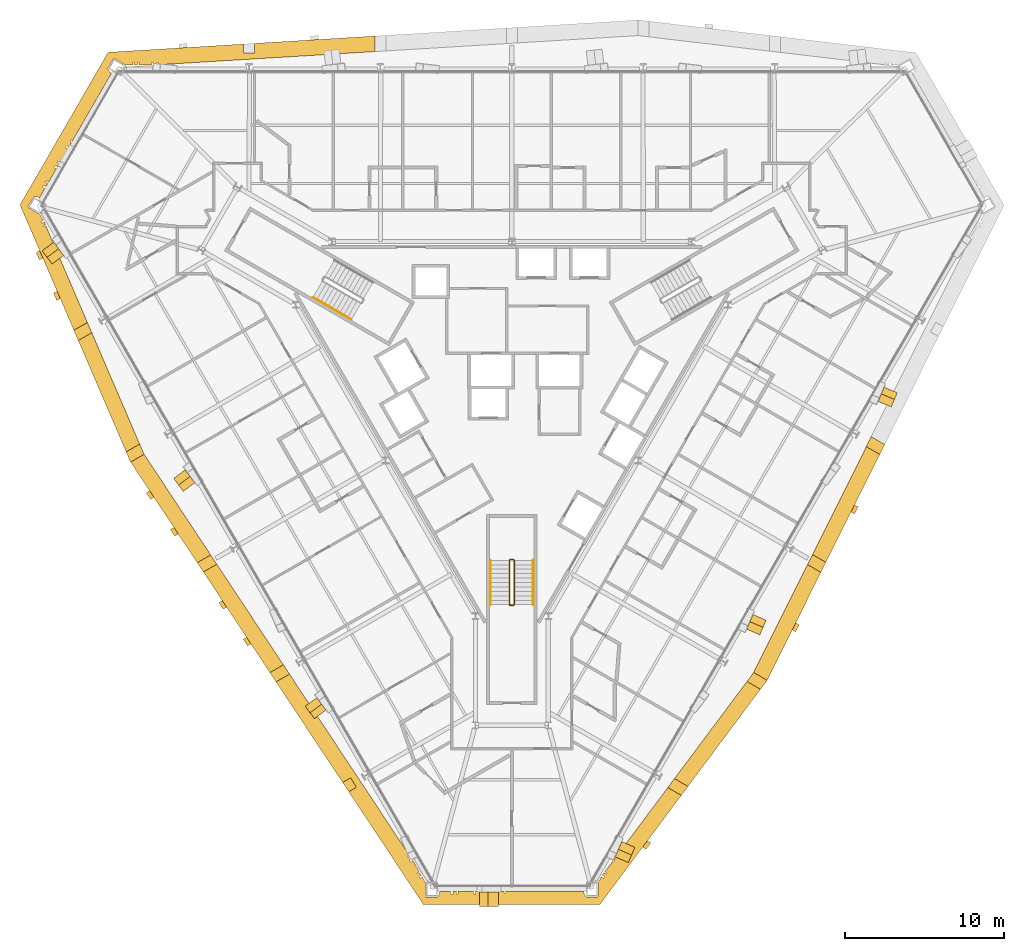
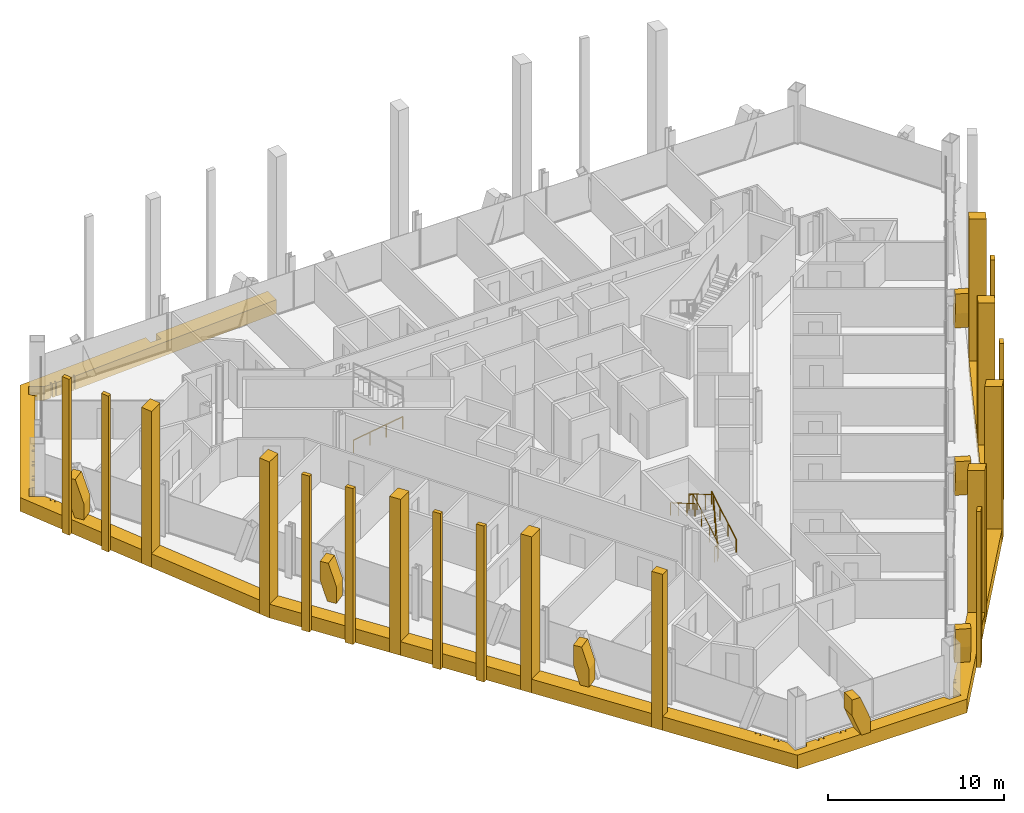
# One storey, part 16 of 17: 33 coverings, 4 railings.
"""IFC4 building model written with IfcOpenShell, lengths in metres."""

import ifcopenshell
import ifcopenshell.guid

model = None  # the IFC model being written
_history = None  # IfcOwnerHistory: only IFC2X3 demands one
_inside = {}  # id of a spatial element -> (the spatial element, [elements in it])
_under = {}  # id of a project, library or spatial element -> (it, [spatial elements below it])
_declared = {}  # id of a project -> (the project, [libraries it declares])
_typed = {}  # id of a type object -> (the type object, [elements of that type])
_made_of = {}  # id of a material, layer set ... -> (it, [elements and type objects made of it])


def new_model(schema):
    """Start an empty IFC model of exactly this schema.

    Asked for "IFC4X3", IfcOpenShell would pick the latest addendum, in which some entities
    have other attributes; the version numbers below select the first issue.
    IFC2X3 requires an IfcOwnerHistory on every rooted entity: one is made here for all.
    """
    global model, _history
    if schema == "IFC4X3":
        model = ifcopenshell.file(schema_version=(4, 3, 0, 0))
    else:
        model = ifcopenshell.file(schema=schema)
    _inside.clear()
    _under.clear()
    _declared.clear()
    _typed.clear()
    _made_of.clear()
    _history = None
    if model.schema == "IFC2X3":
        org = make("IfcOrganization", Name="unknown")
        user = make(
            "IfcPersonAndOrganization",
            ThePerson=make("IfcPerson", FamilyName="unknown"),
            TheOrganization=org,
        )
        app = make(
            "IfcApplication",
            ApplicationDeveloper=org,
            Version="unknown",
            ApplicationFullName="unknown",
            ApplicationIdentifier="unknown",
        )
        _history = make(
            "IfcOwnerHistory",
            OwningUser=user,
            OwningApplication=app,
            ChangeAction="ADDED",
            CreationDate=0,
        )
    return model


def make(cls, **values):
    """One entity of the class cls with the attributes given. An attribute that is None is left unset."""
    return model.create_entity(
        cls, **{name: value for name, value in values.items() if value is not None}
    )


def rooted(cls, **values):
    """An entity with a GlobalId (a new one), such as an element, a storey or a relation."""
    return make(cls, GlobalId=ifcopenshell.guid.new(), OwnerHistory=_history, **values)


def si_unit(unit_type, name, prefix=None):
    """IfcSIUnit, for example si_unit("LENGTHUNIT", "METRE", prefix="MILLI")."""
    return make("IfcSIUnit", UnitType=unit_type, Prefix=prefix, Name=name)


def assignment(units):
    """IfcUnitAssignment: the units of a project."""
    return None if units is None else make("IfcUnitAssignment", Units=units)


def point(xyz):
    """IfcCartesianPoint."""
    return None if xyz is None else make("IfcCartesianPoint", Coordinates=xyz)


def direction(xyz):
    """IfcDirection."""
    return None if xyz is None else make("IfcDirection", DirectionRatios=xyz)


def frame(location, z_axis=None, x_axis=None):
    """IfcAxis2Placement3D, a coordinate frame: its origin and axes. An axis left out is left unset."""
    return make(
        "IfcAxis2Placement3D",
        Location=point(location),
        Axis=direction(z_axis),
        RefDirection=direction(x_axis),
    )


def frame_2d(location, x_axis=None):
    """IfcAxis2Placement2D, a coordinate frame in the plane: its origin and x axis."""
    return make(
        "IfcAxis2Placement2D", Location=point(location), RefDirection=direction(x_axis)
    )


def origin():
    """The frame at (0, 0, 0) with its axes left unset."""
    return frame((0.0, 0.0, 0.0))


def origin_2d():
    """The frame at (0, 0) in the plane with its x axis left unset."""
    return frame_2d((0.0, 0.0))


def place(relative_to, where):
    """IfcLocalPlacement: puts the frame where relative to a parent placement (None: the world)."""
    return make(
        "IfcLocalPlacement", PlacementRelTo=relative_to, RelativePlacement=where
    )


def context(
    kind, dimensions, precision=None, world=None, true_north=None, identifier=None
):
    """IfcGeometricRepresentationContext, for example the 3D "Model" context."""
    return make(
        "IfcGeometricRepresentationContext",
        ContextIdentifier=identifier,
        ContextType=kind,
        CoordinateSpaceDimension=dimensions,
        Precision=precision,
        WorldCoordinateSystem=world,
        TrueNorth=true_north,
    )


def subcontext(parent, identifier, kind, view, scale=None):
    """IfcGeometricRepresentationSubContext, for example "Body" below "Model"."""
    return make(
        "IfcGeometricRepresentationSubContext",
        ContextIdentifier=identifier,
        ContextType=kind,
        ParentContext=parent,
        TargetScale=scale,
        TargetView=view,
    )


def project(units=None, contexts=None):
    """IfcProject with its units and contexts."""
    return rooted(
        "IfcProject",
        Name="project",
        RepresentationContexts=contexts,
        UnitsInContext=assignment(units),
    )


def spatial(cls, under=None, at=None, **own):
    """A site, building, storey or space (cls), placed at a placement, below another one or the project."""
    s = rooted(cls, ObjectPlacement=at, **own)
    if under is not None:
        _under.setdefault(under.id(), (under, []))[1].append(s)
    return s


def polyline(points):
    """IfcPolyline through the points."""
    return make("IfcPolyline", Points=[point(p) for p in points])


def profile(cls, at=None, kind="AREA", **sizes):
    """A parametric profile (cls). Its sizes go by their IFC names, for example OverallWidth=200.0."""
    return make(cls, ProfileType=kind, Position=at, **sizes)


def circle(**sizes):
    """IfcCircleProfileDef."""
    return profile("IfcCircleProfileDef", **sizes)


def outline(outer, holes=None, kind="AREA"):
    """IfcArbitraryClosedProfileDef: a profile drawn as a closed curve; with holes, ...WithVoids."""
    if holes is None:
        return make("IfcArbitraryClosedProfileDef", ProfileType=kind, OuterCurve=outer)
    return make(
        "IfcArbitraryProfileDefWithVoids",
        ProfileType=kind,
        OuterCurve=outer,
        InnerCurves=holes,
    )


def extrude(swept, where, along, depth):
    """IfcExtrudedAreaSolid: the profile swept, set in the frame where, extruded along a direction by depth."""
    return make(
        "IfcExtrudedAreaSolid",
        SweptArea=swept,
        Position=where,
        ExtrudedDirection=direction(along),
        Depth=depth,
    )


def shape(context_of_items, identifier, shape_type, items):
    """IfcShapeRepresentation: the items that make up one representation, for example the "Body"."""
    return make(
        "IfcShapeRepresentation",
        ContextOfItems=context_of_items,
        RepresentationIdentifier=identifier,
        RepresentationType=shape_type,
        Items=items,
    )


def material(Name=None, Category=None):
    """IfcMaterial."""
    return make("IfcMaterial", Name=Name, Category=Category)


def layer(
    of_material, thickness, ventilated=None, Name=None, Category=None, Priority=None
):
    """IfcMaterialLayer: one layer of a wall or slab, of a material (None: an air gap)."""
    return make(
        "IfcMaterialLayer",
        Material=of_material,
        LayerThickness=thickness,
        IsVentilated=ventilated,
        Name=Name,
        Category=Category,
        Priority=Priority,
    )


def layer_set(layers, Name=None):
    """IfcMaterialLayerSet."""
    return make("IfcMaterialLayerSet", MaterialLayers=layers, LayerSetName=Name)


def made_of(thing, what):
    """Note that an element or type object is made of a material, layer set ...; save() writes the relation."""
    if what is not None:
        _made_of.setdefault(what.id(), (what, []))[1].append(thing)
    return thing


def type_object(cls, material=None, **own):
    """A type object (cls), such as IfcWallType, which elements share."""
    return made_of(rooted(cls, **own), material)


def element(
    cls,
    number,
    at=None,
    inside=None,
    cuts=None,
    type_object=None,
    material=None,
    context=None,
    identifier="Body",
    shape_type=None,
    held_by="IfcProductDefinitionShape",
    body=None,
    shapes=None,
    **own,
):
    """One element of the class cls, such as IfcWall. Its Tag is "e" and its number.

    at: its placement. inside: the storey or other place that contains it. cuts: it is an
    opening in that element (IfcRelVoidsElement). A single representation is given by context,
    identifier, shape_type and body (its items); several are given by shapes. held_by: the class
    of the entity that holds the representations. save() writes the other relations.
    """
    e = rooted(cls, Tag="e%d" % number, ObjectPlacement=at, **own)
    if body is not None:
        shapes = [shape(context, identifier, shape_type, body)]
    if shapes is not None:
        e.Representation = make(held_by, Representations=shapes)
    if inside is not None:
        _inside.setdefault(inside.id(), (inside, []))[1].append(e)
    if cuts is not None:
        rooted(
            "IfcRelVoidsElement", RelatingBuildingElement=cuts, RelatedOpeningElement=e
        )
    if type_object is not None:
        _typed.setdefault(type_object.id(), (type_object, []))[1].append(e)
    return made_of(e, material)


def aggregate(whole, parts):
    """IfcRelAggregates: a whole, such as a stair, and the parts it consists of."""
    return rooted("IfcRelAggregates", RelatingObject=whole, RelatedObjects=parts)


def save(model, path):
    """Write the relations noted so far, then the file.

    IfcRelAggregates (storeys below a building ...), IfcRelContainedInSpatialStructure (elements
    in a storey), IfcRelDefinesByType, IfcRelAssociatesMaterial and IfcRelDeclares: one each for
    every whole, place, type object, material and project.
    """
    for whole, parts in _under.values():
        aggregate(whole, parts)
    for where, things in _inside.values():
        rooted(
            "IfcRelContainedInSpatialStructure",
            RelatedElements=things,
            RelatingStructure=where,
        )
    for kind, things in _typed.values():
        rooted("IfcRelDefinesByType", RelatedObjects=things, RelatingType=kind)
    for what, things in _made_of.values():
        rooted("IfcRelAssociatesMaterial", RelatedObjects=things, RelatingMaterial=what)
    for by, libraries in _declared.values():
        rooted("IfcRelDeclares", RelatingContext=by, RelatedDefinitions=libraries)
    model.write(path)


model = new_model("IFC4")

# Units and contexts
model_context = context("Model", 3, precision=1e-05, world=origin(), true_north=direction((0.0, 1.0)))
body_context = subcontext(model_context, "Body", "Model", "MODEL_VIEW")
ifc_project = project(units=[si_unit("LENGTHUNIT", "METRE"), si_unit("AREAUNIT", "SQUARE_METRE"), si_unit("VOLUMEUNIT", "CUBIC_METRE"), si_unit("PLANEANGLEUNIT", "RADIAN"), si_unit("MASSUNIT", "GRAM", prefix="KILO")], contexts=[model_context])

# Site, building, storey
site_placement = place(None, origin())
site = spatial("IfcSite", under=ifc_project, at=site_placement, CompositionType="ELEMENT")
building_placement = place(site_placement, origin())
building = spatial("IfcBuilding", under=site, at=building_placement, Name="Verrane Prism Tower", CompositionType="ELEMENT")
storey_placement = place(building_placement, frame((0.0, 0.0, 132.39990234375)))
storey = spatial("IfcBuildingStorey", under=building, at=storey_placement, Name="L32", CompositionType="ELEMENT", Elevation=132.39990234375)

# Railings
ifc_material_1 = material(Name="Steel A36 rail and posts, no infill", Category="steel")
railing_type_1 = type_object("IfcRailingType", Name="Stair guard 1100 steel rail and posts", PredefinedType="GUARDRAIL", material=ifc_material_1)
railing_1_placement = place(storey_placement, frame((0.14990234375, -13.699951171875, 0.163818359375)))
element("IfcRailing", 1, at=railing_1_placement, inside=storey, type_object=railing_type_1, Name="Stair 3 guard", PredefinedType="GUARDRAIL", context=body_context, shape_type="SweptSolid", body=[
    extrude(circle(Radius=0.02392578125, at=origin_2d()), frame((0.0, 0.0, 1.076171875), z_axis=(0.0, 0.863393664356, 0.504530851732), x_axis=(-1.0, 0.0, 0.0)), (0.0, 0.0, 1.0), 3.2431640625),
    extrude(circle(Radius=0.02392578125, at=origin_2d()), frame((0.0, 2.800048828125, 2.71240234375), z_axis=(-0.707106781187, 0.707106781187, 0.0), x_axis=(-0.707106781187, -0.707106781187, 0.0)), (0.0, 0.0, 1.0), 0.0703125),
    extrude(circle(Radius=0.02392578125, at=origin_2d()), frame((-0.0498046875, 2.849853515625, 2.71240234375), z_axis=(-1.0, 0.0, 0.0), x_axis=(0.0, -1.0, 0.0)), (0.0, 0.0, 1.0), 0.2001953125),
    extrude(circle(Radius=0.02392578125, at=origin_2d()), frame((-0.25, 2.849853515625, 2.71240234375), z_axis=(-0.279653641804, -0.279653641804, 0.918470294159), x_axis=(0.707106781187, -0.707106781187, 0.0)), (0.0, 0.0, 1.0), 0.177978515625),
    extrude(circle(Radius=0.02392578125, at=origin_2d()), frame((-0.2998046875, 2.800048828125, 2.8759765625), z_axis=(0.0, -0.863360870873, 0.504586966384), x_axis=(1.0, 0.0, 0.0)), (0.0, 0.0, 1.0), 3.2431640625),
    extrude(circle(Radius=0.02392578125, at=origin_2d()), frame((-0.2998046875, 0.0, 4.51220703125), z_axis=(0.069269067181, -0.013867342551, -0.997501625634), x_axis=(0.196300278283, 0.98054382908, 0.0)), (0.0, 0.0, 1.0), 3.609130859375),
    extrude(circle(Radius=0.02392578125, at=origin_2d()), frame((-0.0498046875, -0.050048828125, 0.912109375), z_axis=(-1.0, 0.0, 0.0), x_axis=(0.0, -1.0, 0.0)), (0.0, 0.0, 1.0), 0.2001953125),
    extrude(circle(Radius=0.02099609375, at=origin_2d()), origin(), (0.0, 0.0, 1.0), 1.052001953125),
    extrude(circle(Radius=0.02099609375, at=origin_2d()), frame((0.0, 0.933349609375, 0.54541015625)), (0.0, 0.0, 1.0), 1.052001953125),
    extrude(circle(Radius=0.02099609375, at=origin_2d()), frame((0.0, 1.86669921875, 1.0908203125)), (0.0, 0.0, 1.0), 1.052001953125),
    extrude(circle(Radius=0.02099609375, at=origin_2d()), frame((0.0, 2.800048828125, 1.63623046875)), (0.0, 0.0, 1.0), 1.052001953125),
    extrude(circle(Radius=0.02099609375, at=origin_2d()), frame((-0.0498046875, 2.849853515625, 1.63623046875)), (0.0, 0.0, 1.0), 1.052001953125),
    extrude(circle(Radius=0.02099609375, at=origin_2d()), frame((-0.25, 2.849853515625, 1.63623046875)), (0.0, 0.0, 1.0), 1.052001953125),
    extrude(circle(Radius=0.02099609375, at=origin_2d()), frame((-0.2998046875, 2.800048828125, 1.7998046875)), (0.0, 0.0, 1.0), 1.052001953125),
    extrude(circle(Radius=0.02099609375, at=origin_2d()), frame((-0.2998046875, 1.86669921875, 2.34521484375)), (0.0, 0.0, 1.0), 1.052001953125),
    extrude(circle(Radius=0.02099609375, at=origin_2d()), frame((-0.2998046875, 0.933349609375, 2.890869140625)), (0.0, 0.0, 1.0), 1.052001953125),
    extrude(circle(Radius=0.02099609375, at=origin_2d()), frame((-0.2998046875, 0.0, 3.436279296875)), (0.0, 0.0, 1.0), 1.052001953125),
    extrude(circle(Radius=0.02099609375, at=origin_2d()), frame((-0.2373046875, -0.012451171875, 2.5361328125)), (0.0, 0.0, 1.0), 1.052001953125),
    extrude(circle(Radius=0.02099609375, at=origin_2d()), frame((-0.1748046875, -0.02490234375, 1.63623046875)), (0.0, 0.0, 1.0), 1.052001953125),
    extrude(circle(Radius=0.02099609375, at=origin_2d()), frame((-0.1123046875, -0.03759765625, 0.736328125)), (0.0, 0.0, 1.0), 1.052001953125),
    extrude(circle(Radius=0.02099609375, at=origin_2d()), frame((-0.0498046875, -0.050048828125, -0.163818359375)), (0.0, 0.0, 1.0), 1.052001953125),
    extrude(circle(Radius=0.02099609375, at=origin_2d()), frame((-0.25, -0.050048828125, -0.163818359375)), (0.0, 0.0, 1.0), 1.052001953125),
])
ifc_material_2 = material(Name="Steel A36 tube", Category="steel")
railing_type_2 = type_object("IfcRailingType", Name="Stair handrail 900 steel tube", PredefinedType="HANDRAIL", material=ifc_material_2)
railing_2_placement = place(storey_placement, frame((-12.53955078125, 5.680908203125, 0.163818359375)))
element("IfcRailing", 2, at=railing_2_placement, inside=storey, type_object=railing_type_2, Name="Stair 2 handrail", PredefinedType="HANDRAIL", context=body_context, shape_type="SweptSolid", body=[
    extrude(circle(Radius=0.02392578125, at=origin_2d()), frame((0.0, 0.0, 0.8759765625), z_axis=(0.747693913401, -0.431738279637, 0.504535300807), x_axis=(0.500049511043, 0.865996816683, 0.0)), (0.0, 0.0, 1.0), 3.2431640625),
    extrude(circle(Radius=0.02099609375, at=origin_2d()), origin(), (0.0, 0.0, 1.0), 0.851806640625),
    extrude(circle(Radius=0.02099609375, at=origin_2d()), frame((0.808349609375, -0.466796875, 0.54541015625)), (0.0, 0.0, 1.0), 0.851806640625),
    extrude(circle(Radius=0.02099609375, at=origin_2d()), frame((1.616455078125, -0.933349609375, 1.0908203125)), (0.0, 0.0, 1.0), 0.851806640625),
    extrude(circle(Radius=0.02099609375, at=origin_2d()), frame((2.4248046875, -1.400146484375, 1.63623046875)), (0.0, 0.0, 1.0), 0.851806640625),
])
railing_3_placement = place(storey_placement, frame((1.35009765625, -13.699951171875, 0.163818359375)))
element("IfcRailing", 3, at=railing_3_placement, inside=storey, type_object=railing_type_2, Name="Stair 3 handrail", PredefinedType="HANDRAIL", context=body_context, shape_type="SweptSolid", body=[
    extrude(circle(Radius=0.02392578125, at=origin_2d()), frame((0.0, 0.0, 0.8759765625), z_axis=(0.0, 0.863393664356, 0.504530851732), x_axis=(-1.0, 0.0, 0.0)), (0.0, 0.0, 1.0), 3.2431640625),
    extrude(circle(Radius=0.02099609375, at=origin_2d()), origin(), (0.0, 0.0, 1.0), 0.851806640625),
    extrude(circle(Radius=0.02099609375, at=origin_2d()), frame((0.0, 0.933349609375, 0.54541015625)), (0.0, 0.0, 1.0), 0.851806640625),
    extrude(circle(Radius=0.02099609375, at=origin_2d()), frame((0.0, 1.86669921875, 1.0908203125)), (0.0, 0.0, 1.0), 0.851806640625),
    extrude(circle(Radius=0.02099609375, at=origin_2d()), frame((0.0, 2.800048828125, 1.63623046875)), (0.0, 0.0, 1.0), 0.851806640625),
])
railing_4_placement = place(storey_placement, frame((-1.35009765625, -10.89990234375, 1.963623046875)))
element("IfcRailing", 4, at=railing_4_placement, inside=storey, type_object=railing_type_2, Name="Stair 3 handrail", PredefinedType="HANDRAIL", context=body_context, shape_type="SweptSolid", body=[
    extrude(circle(Radius=0.02392578125, at=origin_2d()), frame((0.0, 0.0, 0.8759765625), z_axis=(0.0, -0.863360870873, 0.504586966384), x_axis=(1.0, 0.0, 0.0)), (0.0, 0.0, 1.0), 3.2431640625),
    extrude(circle(Radius=0.02099609375, at=origin_2d()), origin(), (0.0, 0.0, 1.0), 0.851806640625),
    extrude(circle(Radius=0.02099609375, at=origin_2d()), frame((0.0, -0.933349609375, 0.54541015625)), (0.0, 0.0, 1.0), 0.851806640625),
    extrude(circle(Radius=0.02099609375, at=origin_2d()), frame((0.0, -1.86669921875, 1.091064453125)), (0.0, 0.0, 1.0), 0.851806640625),
    extrude(circle(Radius=0.02099609375, at=origin_2d()), frame((0.0, -2.800048828125, 1.636474609375)), (0.0, 0.0, 1.0), 0.851806640625),
])

# Coverings
ifc_material_3 = material(Name="Warm limestone cladding", Category="masonry")
ifc_layer_1 = layer(ifc_material_3, 0.89990234375)
ifc_layer_set_1 = layer_set([ifc_layer_1], Name="Stone brace fin 900")
covering_type_1 = type_object("IfcCoveringType", Name="Stone brace fin 900", PredefinedType="CLADDING", material=ifc_layer_set_1)
covering_1_placement = place(storey_placement, frame((-28.630615234375, 8.05078125, 0.0), z_axis=(0.0, 0.0, 1.0), x_axis=(-0.59445670935, 0.804127614691, 0.0)))
element("IfcCovering", 5, at=covering_1_placement, inside=storey, type_object=covering_type_1, Name="Stone brace fin SW1 L32", PredefinedType="CLADDING", context=body_context, shape_type="SweptSolid", body=[
    extrude(outline(polyline([(1.04541015625, 2.650146484375), (0.52880859375, 2.650146484375), (0.0, 1.12841796875), (0.0, 0.0), (0.560791015625, 0.0), (1.04541015625, 1.39501953125), (1.04541015625, 2.650146484375)])), frame((0.0, 0.449951171875, 0.0), z_axis=(0.0, -1.0, 0.0), x_axis=(1.0, 0.0, 0.0)), (0.0, 0.0, 1.0), 0.89990234375),
])
covering_2_placement = place(storey_placement, frame((-20.360107421875, -6.2783203125, 0.0), z_axis=(0.0, 0.0, 1.0), x_axis=(-0.597594319788, 0.801798621199, 0.0)))
element("IfcCovering", 6, at=covering_2_placement, inside=storey, type_object=covering_type_1, Name="Stone brace fin SW3 L32", PredefinedType="CLADDING", context=body_context, shape_type="SweptSolid", body=[
    extrude(outline(polyline([(1.0078125, 2.650146484375), (0.494384765625, 2.650146484375), (0.0, 1.174072265625), (0.0, 0.0), (0.555908203125, 0.0), (1.0078125, 1.34912109375), (1.0078125, 2.650146484375)])), frame((0.0, 0.449951171875, 0.0), z_axis=(0.0, -1.0, 0.0), x_axis=(1.0, 0.0, 0.0)), (0.0, 0.0, 1.0), 0.89990234375),
])
covering_3_placement = place(storey_placement, frame((-12.083984375, -20.611328125, 0.0), z_axis=(0.0, 0.0, 1.0), x_axis=(-0.602897214173, 0.797818869883, 0.0)))
element("IfcCovering", 7, at=covering_3_placement, inside=storey, type_object=covering_type_1, Name="Stone brace fin SW5 L32", PredefinedType="CLADDING", context=body_context, shape_type="SweptSolid", body=[
    extrude(outline(polyline([(0.969482421875, 2.650146484375), (0.45947265625, 2.650146484375), (0.0, 1.224609375), (0.0, 0.0), (0.551025390625, 0.0), (0.969482421875, 1.298583984375), (0.969482421875, 2.650146484375)])), frame((0.0, 0.449951171875, 0.0), z_axis=(0.0, -1.0, 0.0), x_axis=(1.0, 0.0, 0.0)), (0.0, 0.0, 1.0), 0.89990234375),
])
covering_4_placement = place(storey_placement, frame((7.345458984375, -28.820556640625, 0.0), z_axis=(0.0, 0.0, 1.0), x_axis=(-0.397496014051, -0.917603900827, 0.0)))
element("IfcCovering", 8, at=covering_4_placement, inside=storey, type_object=covering_type_1, Name="Stone brace fin SE1 L32", PredefinedType="CLADDING", context=body_context, shape_type="SweptSolid", body=[
    extrude(outline(polyline([(1.04541015625, 2.650146484375), (0.52880859375, 2.650146484375), (0.0, 1.128173828125), (0.0, 0.0), (0.560791015625, 0.0), (1.04541015625, 1.39501953125), (1.04541015625, 2.650146484375)])), frame((0.0, 0.449951171875, 0.0), z_axis=(0.0, -1.0, 0.0), x_axis=(1.0, 0.0, 0.0)), (0.0, 0.0, 1.0), 0.89990234375),
])
covering_5_placement = place(storey_placement, frame((15.61962890625, -14.494140625, 0.0), z_axis=(0.0, 0.0, 1.0), x_axis=(-0.394357512292, -0.918957100467, 0.0)))
element("IfcCovering", 9, at=covering_5_placement, inside=storey, type_object=covering_type_1, Name="Stone brace fin SE3 L32", PredefinedType="CLADDING", context=body_context, shape_type="SweptSolid", body=[
    extrude(outline(polyline([(1.008544921875, 2.650146484375), (0.4951171875, 2.650146484375), (0.0, 1.173095703125), (0.0, 0.0), (0.555908203125, 0.0), (1.008544921875, 1.35009765625), (1.008544921875, 2.650146484375)])), frame((0.0, 0.449951171875, 0.0), z_axis=(0.0, -1.0, 0.0), x_axis=(1.0, 0.0, 0.0)), (0.0, 0.0, 1.0), 0.89990234375),
])
covering_6_placement = place(storey_placement, frame((23.890380859375, -0.16015625, 0.0), z_axis=(0.0, 0.0, 1.0), x_axis=(-0.391364608049, -0.920235700007, 0.0)))
element("IfcCovering", 10, at=covering_6_placement, inside=storey, type_object=covering_type_1, Name="Stone brace fin SE5 L32", PredefinedType="CLADDING", context=body_context, shape_type="SweptSolid", body=[
    extrude(outline(polyline([(0.969482421875, 2.650146484375), (0.45947265625, 2.650146484375), (0.0, 1.224609375), (0.0, 0.0), (0.551025390625, 0.0), (0.969482421875, 1.298583984375), (0.969482421875, 2.650146484375)])), frame((0.0, 0.449951171875, 0.0), z_axis=(0.0, -1.0, 0.0), x_axis=(1.0, 0.0, 0.0)), (0.0, 0.0, 1.0), 0.89990234375),
])
covering_7_placement = place(storey_placement, frame((-0.841064453125, -32.267822265625, 0.0), z_axis=(0.0, 0.0, 1.0), x_axis=(-1.0, 0.0, 0.0)))
element("IfcCovering", 11, at=covering_7_placement, inside=storey, type_object=covering_type_1, Name="Stone brace fin S1 L32", PredefinedType="CLADDING", context=body_context, shape_type="SweptSolid", body=[
    extrude(outline(polyline([(1.20361328125, 2.650146484375), (0.675537109375, 2.650146484375), (0.0, 0.964599609375), (0.0, 0.0), (0.5830078125, 0.0), (1.20361328125, 1.548583984375), (1.20361328125, 2.650146484375)])), frame((0.0, 0.449951171875, 0.0), z_axis=(0.0, -1.0, 0.0), x_axis=(1.0, 0.0, 0.0)), (0.0, 0.0, 1.0), 0.89990234375),
])
ifc_material_4 = material(Name="Warm limestone cladding", Category="masonry")
covering_type_2 = type_object("IfcCoveringType", Name="Stone mullion pier 500", PredefinedType="CLADDING", material=ifc_material_4)
covering_8_placement = place(storey_placement, frame((0.0, 0.0, -0.949951171875)))
element("IfcCovering", 12, at=covering_8_placement, inside=storey, type_object=covering_type_2, Name="Stone pier SM-SW0.1 L32-L34", PredefinedType="CLADDING", context=body_context, shape_type="SweptSolid", body=[
    extrude(outline(polyline([(-29.57763671875, 8.16748046875), (-29.776611328125, 8.6298828125), (-29.994384765625, 8.504150390625), (-29.795654296875, 8.04150390625), (-29.57763671875, 8.16748046875)])), origin(), (0.0, 0.0, 1.0), 10.800048828125),
])
covering_9_placement = place(storey_placement, frame((0.0, 0.0, -0.949951171875)))
element("IfcCovering", 13, at=covering_9_placement, inside=storey, type_object=covering_type_2, Name="Stone pier SM-SW0.2 L32-L34", PredefinedType="CLADDING", context=body_context, shape_type="SweptSolid", body=[
    extrude(outline(polyline([(-28.478759765625, 5.6103515625), (-28.677490234375, 6.072998046875), (-28.8955078125, 5.947021484375), (-28.69677734375, 5.484619140625), (-28.478759765625, 5.6103515625)])), origin(), (0.0, 0.0, 1.0), 10.800048828125),
])
covering_10_placement = place(storey_placement, frame((0.0, 0.0, -0.949951171875)))
element("IfcCovering", 14, at=covering_10_placement, inside=storey, type_object=covering_type_2, Name="Stone pier SM-SW2.1 L32-L34", PredefinedType="CLADDING", context=body_context, shape_type="SweptSolid", body=[
    extrude(outline(polyline([(-22.563232421875, -6.932373046875), (-22.839599609375, -6.5146484375), (-23.056396484375, -6.639892578125), (-22.7802734375, -7.0576171875), (-22.563232421875, -6.932373046875)])), origin(), (0.0, 0.0, 1.0), 10.800048828125),
])
covering_11_placement = place(storey_placement, frame((0.0, 0.0, -0.949951171875)))
element("IfcCovering", 15, at=covering_11_placement, inside=storey, type_object=covering_type_2, Name="Stone pier SM-SW2.2 L32-L34", PredefinedType="CLADDING", context=body_context, shape_type="SweptSolid", body=[
    extrude(outline(polyline([(-21.035400390625, -9.241943359375), (-21.311767578125, -8.82421875), (-21.52880859375, -8.94921875), (-21.25244140625, -9.3671875), (-21.035400390625, -9.241943359375)])), origin(), (0.0, 0.0, 1.0), 10.800048828125),
])
covering_12_placement = place(storey_placement, frame((0.0, 0.0, -0.949951171875)))
element("IfcCovering", 16, at=covering_12_placement, inside=storey, type_object=covering_type_2, Name="Stone pier SM-SW3.1 L32-L34", PredefinedType="CLADDING", context=body_context, shape_type="SweptSolid", body=[
    extrude(outline(polyline([(-17.979736328125, -13.861083984375), (-18.256103515625, -13.443115234375), (-18.47314453125, -13.568359375), (-18.19677734375, -13.986083984375), (-17.979736328125, -13.861083984375)])), origin(), (0.0, 0.0, 1.0), 10.800048828125),
])
covering_13_placement = place(storey_placement, frame((0.0, 0.0, -0.949951171875)))
element("IfcCovering", 17, at=covering_13_placement, inside=storey, type_object=covering_type_2, Name="Stone pier SM-SW3.2 L32-L34", PredefinedType="CLADDING", context=body_context, shape_type="SweptSolid", body=[
    extrude(outline(polyline([(-16.451904296875, -16.17041015625), (-16.728515625, -15.752685546875), (-16.9453125, -15.8779296875), (-16.6689453125, -16.295654296875), (-16.451904296875, -16.17041015625)])), origin(), (0.0, 0.0, 1.0), 10.800048828125),
])
covering_14_placement = place(storey_placement, frame((0.0, 0.0, -0.949951171875)))
element("IfcCovering", 18, at=covering_14_placement, inside=storey, type_object=covering_type_2, Name="Stone pier SM-SE0.1 L32-L34", PredefinedType="CLADDING", context=body_context, shape_type="SweptSolid", body=[
    extrude(outline(polyline([(8.548095703125, -28.58349609375), (8.246826171875, -28.987060546875), (8.46484375, -29.11279296875), (8.76611328125, -28.70947265625), (8.548095703125, -28.58349609375)])), origin(), (0.0, 0.0, 1.0), 10.800048828125),
])
covering_15_placement = place(storey_placement, frame((0.0, 0.0, -0.949951171875)))
element("IfcCovering", 19, at=covering_15_placement, inside=storey, type_object=covering_type_2, Name="Stone pier SM-SE2.1 L32-L34", PredefinedType="CLADDING", context=body_context, shape_type="SweptSolid", body=[
    extrude(outline(polyline([(17.9033203125, -14.835205078125), (17.6796875, -15.283447265625), (17.896484375, -15.40869140625), (18.120361328125, -14.96044921875), (17.9033203125, -14.835205078125)])), origin(), (0.0, 0.0, 1.0), 10.800048828125),
])
covering_16_placement = place(storey_placement, frame((0.0, 0.0, -0.949951171875)))
element("IfcCovering", 20, at=covering_16_placement, inside=storey, type_object=covering_type_2, Name="Stone pier SM-SE3.1 L32-L34", PredefinedType="CLADDING", context=body_context, shape_type="SweptSolid", body=[
    extrude(outline(polyline([(21.612060546875, -7.401611328125), (21.388427734375, -7.849853515625), (21.605224609375, -7.97509765625), (21.828857421875, -7.52685546875), (21.612060546875, -7.401611328125)])), origin(), (0.0, 0.0, 1.0), 10.800048828125),
])
ifc_material_5 = material(Name="Warm limestone cladding", Category="masonry")
covering_type_3 = type_object("IfcCoveringType", Name="Stone pier 700", PredefinedType="CLADDING", material=ifc_material_5)
covering_17_placement = place(storey_placement, frame((0.0, 0.0, -0.949951171875)))
element("IfcCovering", 21, at=covering_17_placement, inside=storey, type_object=covering_type_3, Name="Stone pier PC-SW1 L32-L34", PredefinedType="CLADDING", context=body_context, shape_type="SweptSolid", body=[
    extrude(outline(polyline([(-27.33984375, 2.960693359375), (-26.487060546875, 3.453125), (-26.765380859375, 4.100830078125), (-27.618408203125, 3.6083984375), (-27.33984375, 2.960693359375)])), origin(), (0.0, 0.0, 1.0), 10.800048828125),
])
covering_18_placement = place(storey_placement, frame((0.0, 0.0, -0.949951171875)))
element("IfcCovering", 22, at=covering_18_placement, inside=storey, type_object=covering_type_3, Name="Stone pier PC-SW2 L32-L34", PredefinedType="CLADDING", context=body_context, shape_type="SweptSolid", body=[
    extrude(outline(polyline([(-24.035888671875, -4.706298828125), (-23.187255859375, -4.21630859375), (-23.197265625, -4.201171875), (-23.46826171875, -3.570556640625), (-24.3212890625, -4.06298828125), (-24.061279296875, -4.667724609375), (-24.035888671875, -4.706298828125)])), origin(), (0.0, 0.0, 1.0), 10.800048828125),
])
covering_19_placement = place(storey_placement, frame((0.0, 0.0, -0.949951171875)))
element("IfcCovering", 23, at=covering_19_placement, inside=storey, type_object=covering_type_3, Name="Stone pier PC-SW3 L32-L34", PredefinedType="CLADDING", context=body_context, shape_type="SweptSolid", body=[
    extrude(outline(polyline([(-19.452392578125, -11.635009765625), (-18.603759765625, -11.14501953125), (-18.99072265625, -10.56005859375), (-19.83935546875, -11.050048828125), (-19.452392578125, -11.635009765625)])), origin(), (0.0, 0.0, 1.0), 10.800048828125),
])
covering_20_placement = place(storey_placement, frame((0.0, 0.0, -0.949951171875)))
element("IfcCovering", 24, at=covering_20_placement, inside=storey, type_object=covering_type_3, Name="Stone pier PC-SW4 L32-L34", PredefinedType="CLADDING", context=body_context, shape_type="SweptSolid", body=[
    extrude(outline(polyline([(-14.868896484375, -18.563720703125), (-14.020263671875, -18.073486328125), (-14.4072265625, -17.48876953125), (-15.255859375, -17.978759765625), (-14.868896484375, -18.563720703125)])), origin(), (0.0, 0.0, 1.0), 10.800048828125),
])
covering_21_placement = place(storey_placement, frame((0.0, 0.0, -0.949951171875)))
element("IfcCovering", 25, at=covering_21_placement, inside=storey, type_object=covering_type_3, Name="Stone pier PC-SW5 L32-L34", PredefinedType="CLADDING", context=body_context, shape_type="SweptSolid", body=[
    extrude(outline(polyline([(-9.809326171875, -25.21728515625), (-9.984375, -24.9140625), (-10.1591796875, -24.611083984375), (-10.672607421875, -24.9072265625), (-10.28564453125, -25.4921875), (-9.809326171875, -25.21728515625)])), origin(), (0.0, 0.0, 1.0), 10.800048828125),
])
covering_22_placement = place(storey_placement, frame((0.0, 0.0, -0.949951171875)))
element("IfcCovering", 26, at=covering_22_placement, inside=storey, type_object=covering_type_3, Name="Stone pier PC-SE1 L32-L34", PredefinedType="CLADDING", context=body_context, shape_type="SweptSolid", body=[
    extrude(outline(polyline([(11.10595703125, -25.157470703125), (10.2529296875, -24.6650390625), (9.831298828125, -25.229736328125), (10.68408203125, -25.722412109375), (11.10595703125, -25.157470703125)])), origin(), (0.0, 0.0, 1.0), 10.800048828125),
])
covering_23_placement = place(storey_placement, frame((0.0, 0.0, -0.949951171875)))
element("IfcCovering", 27, at=covering_23_placement, inside=storey, type_object=covering_type_3, Name="Stone pier PC-SE2 L32-L34", PredefinedType="CLADDING", context=body_context, shape_type="SweptSolid", body=[
    extrude(outline(polyline([(16.09375, -18.46240234375), (15.2451171875, -17.972412109375), (15.23681640625, -17.989013671875), (14.826416015625, -18.538818359375), (15.67919921875, -19.031494140625), (16.072998046875, -18.50390625), (16.09375, -18.46240234375)])), origin(), (0.0, 0.0, 1.0), 10.800048828125),
])
covering_24_placement = place(storey_placement, frame((0.0, 0.0, -0.949951171875)))
element("IfcCovering", 28, at=covering_24_placement, inside=storey, type_object=covering_type_3, Name="Stone pier PC-SE3 L32-L34", PredefinedType="CLADDING", context=body_context, shape_type="SweptSolid", body=[
    extrude(outline(polyline([(19.802490234375, -11.02880859375), (18.953857421875, -10.538818359375), (18.640625, -11.166259765625), (19.4892578125, -11.65625), (19.802490234375, -11.02880859375)])), origin(), (0.0, 0.0, 1.0), 10.800048828125),
])
covering_25_placement = place(storey_placement, frame((0.0, 0.0, -0.949951171875)))
element("IfcCovering", 29, at=covering_25_placement, inside=storey, type_object=covering_type_3, Name="Stone pier PC-SE4 L32-L34", PredefinedType="CLADDING", context=body_context, shape_type="SweptSolid", body=[
    extrude(outline(polyline([(23.510986328125, -3.59521484375), (22.662353515625, -3.105224609375), (22.349365234375, -3.732666015625), (23.197998046875, -4.22265625), (23.510986328125, -3.59521484375)])), origin(), (0.0, 0.0, 1.0), 10.800048828125),
])
ifc_material_6 = material(Name="Warm limestone cladding", Category="masonry")
ifc_layer_2 = layer(ifc_material_6, 0.449951171875)
ifc_layer_set_2 = layer_set([ifc_layer_2], Name="Stone spandrel band 450")
covering_type_4 = type_object("IfcCoveringType", Name="Stone spandrel band 450", PredefinedType="CLADDING", material=ifc_layer_set_2)
covering_26_placement = place(storey_placement, frame((0.0, 0.0, -0.949951171875)))
element("IfcCovering", 30, at=covering_26_placement, inside=storey, type_object=covering_type_4, Name="Stone spandrel band L32 part 2", PredefinedType="CLADDING", context=body_context, shape_type="SweptSolid", body=[
    extrude(outline(polyline([(-26.765380859375, 4.100830078125), (-29.020263671875, 9.34765625), (-29.045654296875, 9.3330078125), (-29.10205078125, 9.4306640625), (-29.065185546875, 9.451904296875), (-29.385498046875, 10.197265625), (-29.50439453125, 10.128662109375), (-29.539794921875, 10.190185546875), (-29.413818359375, 10.262939453125), (-29.474609375, 10.40478515625), (-29.493896484375, 10.43798828125), (-29.635498046875, 10.355712890625), (-29.690673828125, 10.45068359375), (-29.548583984375, 10.533203125), (-29.777099609375, 10.9287109375), (-30.525634765625, 11.36083984375), (-30.145751953125, 12.01904296875), (-30.126708984375, 12.008056640625), (-29.901611328125, 12.008056640625), (-29.790771484375, 11.944091796875), (-29.44189453125, 12.548583984375), (-29.585205078125, 12.631103515625), (-29.51806640625, 12.747802734375), (-29.37451171875, 12.6650390625), (-29.256591796875, 12.869140625), (-29.400146484375, 12.951904296875), (-29.358642578125, 13.024169921875), (-29.215087890625, 12.94140625), (-28.724609375, 13.790771484375), (-28.86865234375, 13.873779296875), (-28.799560546875, 13.993408203125), (-28.655517578125, 13.910400390625), (-28.5361328125, 14.117431640625), (-28.68017578125, 14.20068359375), (-28.638671875, 14.272705078125), (-28.494384765625, 14.189697265625), (-28.00390625, 15.0390625), (-28.148681640625, 15.122314453125), (-28.07958984375, 15.2421875), (-27.934814453125, 15.15869140625), (-27.77734375, 15.431640625), (-27.8466796875, 15.558349609375), (-27.764404296875, 15.603271484375), (-27.722412109375, 15.526611328125), (-25.23828125, 19.829345703125), (-25.352783203125, 19.8955078125), (-25.466796875, 20.08984375), (-25.485595703125, 20.100830078125), (-25.105712890625, 20.759033203125), (-24.35107421875, 20.323486328125), (-23.898681640625, 20.323486328125), (-23.898681640625, 20.489990234375), (-23.7890625, 20.489990234375), (-23.7890625, 20.323486328125), (-23.5966796875, 20.323486328125), (-23.5966796875, 20.489990234375), (-23.52587890625, 20.489990234375), (-23.52587890625, 20.323486328125), (-22.71875, 20.323486328125), (-22.71875, 20.489990234375), (-22.60595703125, 20.489990234375), (-22.60595703125, 20.328369140625), (-22.388916015625, 20.341552734375), (-22.372314453125, 20.488037109375), (-22.297607421875, 20.4794921875), (-22.31298828125, 20.34619140625), (-8.64208984375, 21.1787109375), (-8.64208984375, 22.15869140625), (-16.234130859375, 21.6962890625), (-16.234130859375, 21.101806640625), (-16.93408203125, 21.101806640625), (-16.93408203125, 21.653564453125), (-25.460205078125, 21.13427734375), (-31.015380859375, 11.5126953125), (-27.618408203125, 3.6083984375), (-26.765380859375, 4.100830078125)])), origin(), (0.0, 0.0, 1.0), 0.949951171875),
])
covering_27_placement = place(storey_placement, frame((0.0, 0.0, -0.949951171875)))
element("IfcCovering", 31, at=covering_27_placement, inside=storey, type_object=covering_type_4, Name="Stone spandrel band L32 part 3", PredefinedType="CLADDING", context=body_context, shape_type="SweptSolid", body=[
    extrude(outline(polyline([(5.537353515625, -32.616455078125), (10.68408203125, -25.722412109375), (9.831298828125, -25.229736328125), (6.56591796875, -29.603515625), (6.55908203125, -29.619384765625), (6.555419921875, -29.61767578125), (6.414794921875, -29.805908203125), (6.444091796875, -29.82275390625), (6.3876953125, -29.92041015625), (6.34716796875, -29.89697265625), (5.861572265625, -30.547119140625), (5.9853515625, -30.618408203125), (5.949951171875, -30.679931640625), (5.81884765625, -30.604248046875), (5.726318359375, -30.728271484375), (5.706787109375, -30.76220703125), (5.853515625, -30.84716796875), (5.798095703125, -30.942138671875), (5.652099609375, -30.857177734375), (5.429931640625, -31.24169921875), (5.429931640625, -32.1201171875), (4.669921875, -32.1201171875), (4.669921875, -32.097900390625), (4.55615234375, -31.90380859375), (4.55615234375, -31.771728515625), (-0.41748046875, -31.771728515625), (-0.37109375, -31.84814453125), (-0.451171875, -31.896484375), (-0.52685546875, -31.771728515625), (-0.841064453125, -31.771728515625), (-0.841064453125, -31.93994140625), (-0.979248046875, -31.93994140625), (-0.979248046875, -31.771728515625), (-1.961181640625, -31.771728515625), (-1.961181640625, -31.93994140625), (-2.044677734375, -31.93994140625), (-2.044677734375, -31.771728515625), (-2.283935546875, -31.771728515625), (-2.283935546875, -31.93994140625), (-2.422119140625, -31.93994140625), (-2.422119140625, -31.771728515625), (-3.404052734375, -31.771728515625), (-3.404052734375, -31.93994140625), (-3.487548828125, -31.93994140625), (-3.487548828125, -31.771728515625), (-3.7236328125, -31.771728515625), (-3.7236328125, -31.93994140625), (-3.858154296875, -31.93994140625), (-3.858154296875, -31.771728515625), (-4.55615234375, -31.771728515625), (-4.55615234375, -31.90380859375), (-4.669921875, -32.097900390625), (-4.669921875, -32.1201171875), (-5.429931640625, -32.1201171875), (-5.429931640625, -31.24169921875), (-5.652099609375, -30.857177734375), (-5.798095703125, -30.942138671875), (-5.853515625, -30.84716796875), (-5.706787109375, -30.76220703125), (-5.80322265625, -30.59521484375), (-5.949951171875, -30.679931640625), (-5.9853515625, -30.618408203125), (-5.838623046875, -30.533935546875), (-6.241455078125, -29.8359375), (-6.3876953125, -29.92041015625), (-6.444091796875, -29.82275390625), (-6.30224609375, -29.740966796875), (-6.421875, -29.559814453125), (-6.55908203125, -29.619384765625), (-6.589111328125, -29.550537109375), (-6.4638671875, -29.496337890625), (-14.020263671875, -18.073486328125), (-14.868896484375, -18.563720703125), (-10.672607421875, -24.9072265625), (-10.1591796875, -24.611083984375), (-9.809326171875, -25.21728515625), (-10.28564453125, -25.4921875), (-5.57275390625, -32.616455078125), (5.537353515625, -32.616455078125)])), origin(), (0.0, 0.0, 1.0), 0.949951171875),
])
covering_28_placement = place(storey_placement, frame((0.0, 0.0, -0.949951171875)))
element("IfcCovering", 32, at=covering_28_placement, inside=storey, type_object=covering_type_4, Name="Stone spandrel band L32 part 4", PredefinedType="CLADDING", context=body_context, shape_type="SweptSolid", body=[
    extrude(outline(polyline([(-24.3212890625, -4.06298828125), (-23.46826171875, -3.570556640625), (-26.487060546875, 3.453125), (-27.33984375, 2.960693359375), (-24.3212890625, -4.06298828125)])), origin(), (0.0, 0.0, 1.0), 0.949951171875),
])
covering_29_placement = place(storey_placement, frame((0.0, 0.0, -0.949951171875)))
element("IfcCovering", 33, at=covering_29_placement, inside=storey, type_object=covering_type_4, Name="Stone spandrel band L32 part 5", PredefinedType="CLADDING", context=body_context, shape_type="SweptSolid", body=[
    extrude(outline(polyline([(15.67919921875, -19.031494140625), (14.826416015625, -18.538818359375), (10.2529296875, -24.6650390625), (11.10595703125, -25.157470703125), (15.67919921875, -19.031494140625)])), origin(), (0.0, 0.0, 1.0), 0.949951171875),
])
covering_30_placement = place(storey_placement, frame((0.0, 0.0, -0.949951171875)))
element("IfcCovering", 34, at=covering_30_placement, inside=storey, type_object=covering_type_4, Name="Stone spandrel band L32 part 7", PredefinedType="CLADDING", context=body_context, shape_type="SweptSolid", body=[
    extrude(outline(polyline([(-18.99072265625, -10.56005859375), (-23.187255859375, -4.21630859375), (-24.035888671875, -4.706298828125), (-19.83935546875, -11.050048828125), (-18.99072265625, -10.56005859375)])), origin(), (0.0, 0.0, 1.0), 0.949951171875),
])
covering_31_placement = place(storey_placement, frame((0.0, 0.0, -0.949951171875)))
element("IfcCovering", 35, at=covering_31_placement, inside=storey, type_object=covering_type_4, Name="Stone spandrel band L32 part 8", PredefinedType="CLADDING", context=body_context, shape_type="SweptSolid", body=[
    extrude(outline(polyline([(-14.4072265625, -17.48876953125), (-18.603759765625, -11.14501953125), (-19.452392578125, -11.635009765625), (-15.255859375, -17.978759765625), (-14.4072265625, -17.48876953125)])), origin(), (0.0, 0.0, 1.0), 0.949951171875),
])
covering_32_placement = place(storey_placement, frame((0.0, 0.0, -0.949951171875)))
element("IfcCovering", 36, at=covering_32_placement, inside=storey, type_object=covering_type_4, Name="Stone spandrel band L32 part 9", PredefinedType="CLADDING", context=body_context, shape_type="SweptSolid", body=[
    extrude(outline(polyline([(18.640625, -11.166259765625), (15.2451171875, -17.972412109375), (16.09375, -18.46240234375), (19.4892578125, -11.65625), (18.640625, -11.166259765625)])), origin(), (0.0, 0.0, 1.0), 0.949951171875),
])
covering_33_placement = place(storey_placement, frame((0.0, 0.0, -0.949951171875)))
element("IfcCovering", 37, at=covering_33_placement, inside=storey, type_object=covering_type_4, Name="Stone spandrel band L32 part 10", PredefinedType="CLADDING", context=body_context, shape_type="SweptSolid", body=[
    extrude(outline(polyline([(22.349365234375, -3.732666015625), (18.953857421875, -10.538818359375), (19.802490234375, -11.02880859375), (23.197998046875, -4.22265625), (22.349365234375, -3.732666015625)])), origin(), (0.0, 0.0, 1.0), 0.949951171875),
])

save(model, "model.ifc")
